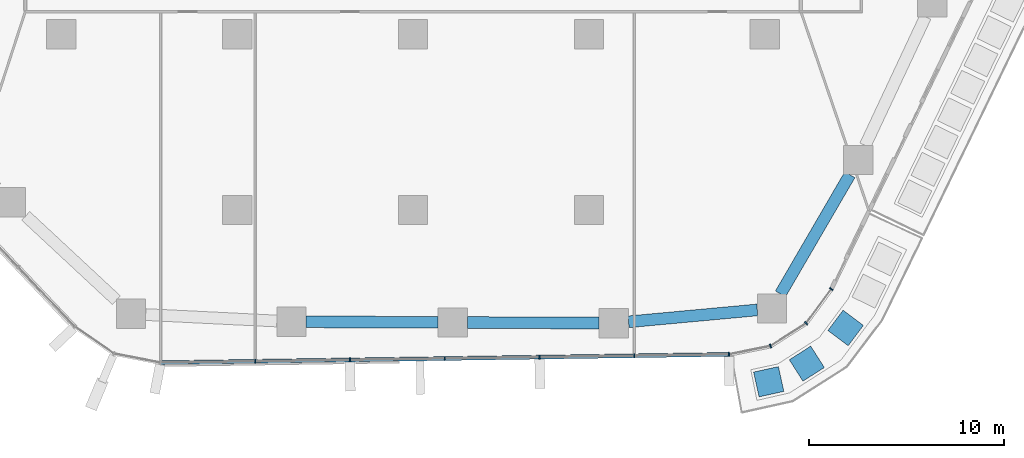
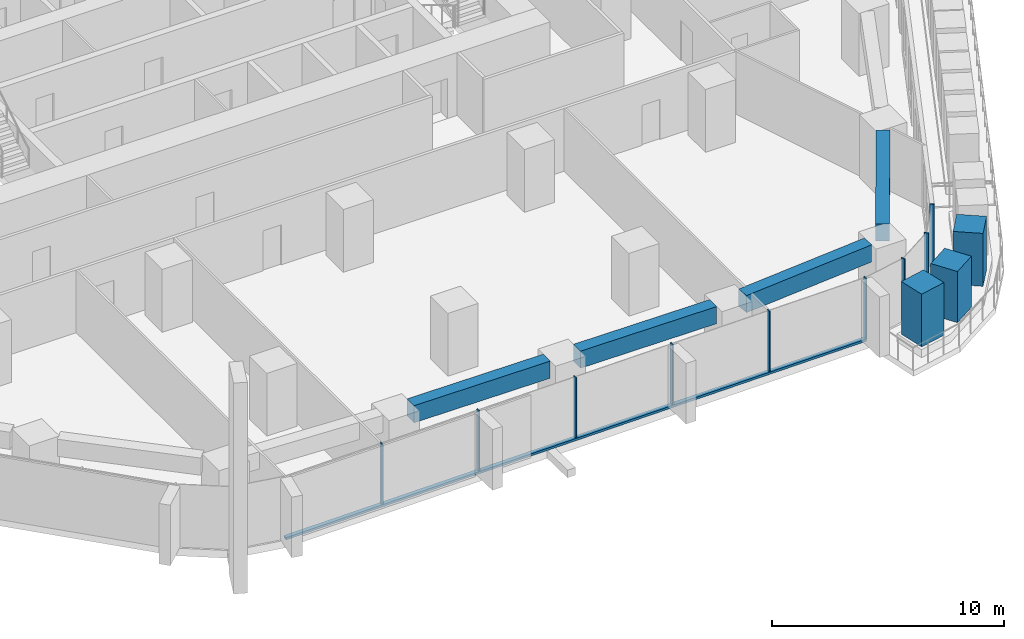
# One storey, part 4 of 24: 13 members, 4 beams, 2 elements without a shape of their own.
"""IFC4 building model written with IfcOpenShell, lengths in metres."""

from ifc_helpers import new_model, si_unit, direction, frame, origin, origin_2d, place, context, subcontext, project, spatial, rectangle, extrude, material, layer, layer_set, material_profile, profile_set, type_object, element, aggregate, save


model = new_model("IFC4")

# Units and contexts
model_context = context("Model", 3, precision=1e-05, world=origin(), true_north=direction((0.0, 1.0)))
body_context = subcontext(model_context, "Body", "Model", "MODEL_VIEW")
ifc_project = project(units=[si_unit("LENGTHUNIT", "METRE"), si_unit("AREAUNIT", "SQUARE_METRE"), si_unit("VOLUMEUNIT", "CUBIC_METRE"), si_unit("PLANEANGLEUNIT", "RADIAN"), si_unit("MASSUNIT", "GRAM", prefix="KILO")], contexts=[model_context])

# Site, building, storey
site_placement = place(None, origin())
site = spatial("IfcSite", under=ifc_project, at=site_placement, CompositionType="ELEMENT")
building_placement = place(site_placement, origin())
building = spatial("IfcBuilding", under=site, at=building_placement, Name="Dongbaek Canopy Tower", CompositionType="ELEMENT")
storey_placement = place(building_placement, frame((0.0, 0.0, 44.0)))
storey = spatial("IfcBuildingStorey", under=building, at=storey_placement, Name="L06", CompositionType="ELEMENT", Elevation=44.0)

# Curtain wall, members
ifc_material_1 = material(Name="Aluminium 6063-T6 pale anodised", Category="aluminium")
ifc_layer = layer(ifc_material_1, 0.199951171875)
ifc_layer_set = layer_set([ifc_layer], Name="CW-1 unitised tower curtain wall")
curtain_wall_type = type_object("IfcCurtainWallType", Name="CW-1 unitised tower curtain wall", PredefinedType="NOTDEFINED", material=ifc_layer_set)
curtain_wall_1_placement = place(storey_placement, origin())
curtain_wall_1 = element("IfcCurtainWall", 1, at=curtain_wall_1_placement, inside=storey, type_object=curtain_wall_type, Name="CW-1 curtain wall F4.1", PredefinedType="NOTDEFINED")
ifc_material_2 = material(Name="Aluminium 6063-T6 pale anodised", Category="aluminium")
ifc_material_profile_1 = material_profile(ifc_material_2, rectangle(XDim=0.199951171875, YDim=0.06005859375, at=origin_2d()), Name="CW-1 mullion 60 x 200")
ifc_profile_set_1 = profile_set([ifc_material_profile_1], Name="Aluminium 6063-T6 pale anodised")
member_type_1 = type_object("IfcMemberType", Name="CW-1 mullion 60 x 200", PredefinedType="MULLION", material=ifc_profile_set_1)
member_1_placement = place(storey_placement, frame((-8.08056640625, -34.741943359375, 0.1201171875), z_axis=(0.0, 0.0, 1.0), x_axis=(0.014618811778, -0.999893139462, 0.0)))
member_1 = element("IfcMember", 2, at=member_1_placement, type_object=member_type_1, Name="CW-1 mullion F4.1.2", PredefinedType="MULLION", context=body_context, shape_type="SweptSolid", body=[
    extrude(rectangle(XDim=0.199951171875, YDim=0.06005859375, at=origin_2d()), origin(), (0.0, 0.0, 1.0), 3.179931640625),
])
member_2_placement = place(storey_placement, frame((-3.229248046875, -34.671142578125, 0.1201171875), z_axis=(0.0, 0.0, 1.0), x_axis=(0.014618811778, -0.999893139462, 0.0)))
member_2 = element("IfcMember", 3, at=member_2_placement, type_object=member_type_1, Name="CW-1 mullion F4.1.3", PredefinedType="MULLION", context=body_context, shape_type="SweptSolid", body=[
    extrude(rectangle(XDim=0.199951171875, YDim=0.06005859375, at=origin_2d()), origin(), (0.0, 0.0, 1.0), 3.179931640625),
])
member_3_placement = place(storey_placement, frame((1.6220703125, -34.60009765625, 0.1201171875), z_axis=(0.0, 0.0, 1.0), x_axis=(0.014618811778, -0.999893139462, 0.0)))
member_3 = element("IfcMember", 4, at=member_3_placement, type_object=member_type_1, Name="CW-1 mullion F4.1.4", PredefinedType="MULLION", context=body_context, shape_type="SweptSolid", body=[
    extrude(rectangle(XDim=0.199951171875, YDim=0.06005859375, at=origin_2d()), origin(), (0.0, 0.0, 1.0), 3.179931640625),
])
member_4_placement = place(storey_placement, frame((6.473388671875, -34.529052734375, 0.1201171875), z_axis=(0.0, 0.0, 1.0), x_axis=(0.014618811778, -0.999893139462, 0.0)))
member_4 = element("IfcMember", 5, at=member_4_placement, type_object=member_type_1, Name="CW-1 mullion F4.1.5", PredefinedType="MULLION", context=body_context, shape_type="SweptSolid", body=[
    extrude(rectangle(XDim=0.199951171875, YDim=0.06005859375, at=origin_2d()), origin(), (0.0, 0.0, 1.0), 3.179931640625),
])
member_5_placement = place(storey_placement, frame((11.32470703125, -34.458251953125, 0.1201171875), z_axis=(0.0, 0.0, 1.0), x_axis=(0.014618811778, -0.999893139462, 0.0)))
member_5 = element("IfcMember", 6, at=member_5_placement, type_object=member_type_1, Name="CW-1 mullion F4.1.6", PredefinedType="MULLION", context=body_context, shape_type="SweptSolid", body=[
    extrude(rectangle(XDim=0.199951171875, YDim=0.06005859375, at=origin_2d()), origin(), (0.0, 0.0, 1.0), 3.179931640625),
])
member_6_placement = place(storey_placement, frame((16.166748046875, -34.387451171875, 0.1201171875), z_axis=(0.0, 0.0, 1.0), x_axis=(0.014618811778, -0.999893139462, 0.0)))
member_6 = element("IfcMember", 7, at=member_6_placement, type_object=member_type_1, Name="CW-1 mullion F4.1.7", PredefinedType="MULLION", context=body_context, shape_type="SweptSolid", body=[
    extrude(rectangle(XDim=0.199951171875, YDim=0.06005859375, at=origin_2d()), origin(), (0.0, 0.0, 1.0), 3.179931640625),
])

curtain_wall_2_placement = place(storey_placement, origin())
curtain_wall_2 = element("IfcCurtainWall", 8, at=curtain_wall_2_placement, inside=storey, type_object=curtain_wall_type, Name="CW-1 curtain wall K5.1", PredefinedType="NOTDEFINED")
member_7_placement = place(storey_placement, frame((18.29541015625, -33.958251953125, 0.0), z_axis=(0.0, 0.0, 1.0), x_axis=(0.37392882128, -0.927457404206, 0.0)))
member_7 = element("IfcMember", 9, at=member_7_placement, type_object=member_type_1, Name="CW-1 mullion K5.1.2", PredefinedType="MULLION", context=body_context, shape_type="SweptSolid", body=[
    extrude(rectangle(XDim=0.199951171875, YDim=0.06005859375, at=origin_2d()), origin(), (0.0, 0.0, 1.0), 3.300048828125),
])
member_8_placement = place(storey_placement, frame((20.118408203125, -32.796142578125, 0.0), z_axis=(0.0, 0.0, 1.0), x_axis=(0.683001262317, -0.730417192892, 0.0)))
member_8 = element("IfcMember", 10, at=member_8_placement, type_object=member_type_1, Name="CW-1 mullion K5.1.3", PredefinedType="MULLION", context=body_context, shape_type="SweptSolid", body=[
    extrude(rectangle(XDim=0.199951171875, YDim=0.06005859375, at=origin_2d()), origin(), (0.0, 0.0, 1.0), 3.300048828125),
])
member_9_placement = place(storey_placement, frame((21.40576171875, -31.047607421875, 0.0), z_axis=(0.0, 0.0, 1.0), x_axis=(0.805296174673, -0.592872727538, 0.0)))
member_9 = element("IfcMember", 11, at=member_9_placement, type_object=member_type_1, Name="CW-1 mullion K5.1.4", PredefinedType="MULLION", context=body_context, shape_type="SweptSolid", body=[
    extrude(rectangle(XDim=0.199951171875, YDim=0.06005859375, at=origin_2d()), origin(), (0.0, 0.0, 1.0), 3.300048828125),
])
aggregate(curtain_wall_2, [member_7, member_8, member_9])

# Member
ifc_material_3 = material(Name="Aluminium 6063-T6 pale anodised", Category="aluminium")
ifc_material_profile_2 = material_profile(ifc_material_3, rectangle(XDim=0.199951171875, YDim=0.1201171875, at=origin_2d()), Name="CW-1 transom 120 x 200")
ifc_profile_set_2 = profile_set([ifc_material_profile_2], Name="Aluminium 6063-T6 pale anodised")
member_type_2 = type_object("IfcMemberType", Name="CW-1 transom 120 x 200", PredefinedType="USERDEFINED", material=ifc_profile_set_2)
member_10_placement = place(storey_placement, frame((-12.92138671875, -34.812744140625, 0.06005859375), z_axis=(0.99989313265, 0.014619277662, 0.0), x_axis=(-0.014619277662, 0.99989313265, 0.0)))
member_10 = element("IfcMember", 12, at=member_10_placement, type_object=member_type_2, Name="CW-1 transom F4.1.1", ObjectType="TRANSOM", PredefinedType="USERDEFINED", context=body_context, shape_type="SweptSolid", body=[
    extrude(rectangle(XDim=0.199951171875, YDim=0.1201171875, at=origin_2d()), origin(), (0.0, 0.0, 1.0), 29.09130859375),
])

aggregate(curtain_wall_1, [member_1, member_2, member_3, member_4, member_5, member_6, member_10])

# Beams
ifc_material_4 = material(Name="Concrete C80", Category="concrete")
ifc_material_profile_3 = material_profile(ifc_material_4, rectangle(XDim=0.60009765625, YDim=0.89990234375, at=origin_2d()), Name="RC EDGE BEAM 600x900 C80")
ifc_profile_set_3 = profile_set([ifc_material_profile_3], Name="Concrete C80")
beam_type = type_object("IfcBeamType", Name="RC EDGE BEAM 600x900 C80", PredefinedType="BEAM", material=ifc_profile_set_3)
beam_1_placement = place(storey_placement, frame((17.617919921875, -32.1123046875, 2.85009765625), z_axis=(-0.995766471257, -0.091919174929, 0.0), x_axis=(0.091919174929, -0.995766471257, 0.0)))
element("IfcBeam", 13, at=beam_1_placement, inside=storey, type_object=beam_type, Name="EDGEBEAM:L06:00", PredefinedType="BEAM", context=body_context, shape_type="SweptSolid", body=[
    extrude(rectangle(XDim=0.60009765625, YDim=0.89990234375, at=origin_2d()), origin(), (0.0, 0.0, 1.0), 6.618896484375),
])
beam_2_placement = place(storey_placement, frame((9.527099609375, -32.78662109375, 2.85009765625), z_axis=(-0.999989942747, 0.004484908597, 0.0), x_axis=(-0.004484908597, -0.999989942747, 0.0)))
element("IfcBeam", 14, at=beam_2_placement, inside=storey, type_object=beam_type, Name="EDGEBEAM:L06:01", PredefinedType="BEAM", context=body_context, shape_type="SweptSolid", body=[
    extrude(rectangle(XDim=0.60009765625, YDim=0.89990234375, at=origin_2d()), origin(), (0.0, 0.0, 1.0), 6.75),
])
beam_3_placement = place(storey_placement, frame((1.277099609375, -32.749755859375, 2.85009765625), z_axis=(-0.999990420723, 0.004377038088, 0.0), x_axis=(-0.004377038088, -0.999990420723, 0.0)))
element("IfcBeam", 15, at=beam_3_placement, inside=storey, type_object=beam_type, Name="EDGEBEAM:L06:02", PredefinedType="BEAM", context=body_context, shape_type="SweptSolid", body=[
    extrude(rectangle(XDim=0.60009765625, YDim=0.89990234375, at=origin_2d()), origin(), (0.0, 0.0, 1.0), 6.7490234375),
])
beam_4_placement = place(storey_placement, frame((22.35546875, -25.193115234375, 2.85009765625), z_axis=(-0.503081510817, -0.864238967806, 0.0), x_axis=(0.864238967806, -0.503081510817, 0.0)))
element("IfcBeam", 16, at=beam_4_placement, inside=storey, type_object=beam_type, Name="EDGEBEAM:L06:25", PredefinedType="BEAM", context=body_context, shape_type="SweptSolid", body=[
    extrude(rectangle(XDim=0.60009765625, YDim=0.89990234375, at=origin_2d()), origin(), (0.0, 0.0, 1.0), 7.05810546875),
])

# Members
ifc_material_5 = material(Name="Concrete C40/50 planter mass with planting", Category="concrete")
ifc_material_profile_4 = material_profile(ifc_material_5, rectangle(XDim=1.300048828125, YDim=1.300048828125, at=origin_2d()), Name="Terrace PLANTER shrub mass 1300 x 1300")
ifc_profile_set_4 = profile_set([ifc_material_profile_4], Name="Concrete C40/50 planter mass with planting")
member_type_3 = type_object("IfcMemberType", Name="Terrace PLANTER shrub mass 1300 x 1300", PredefinedType="USERDEFINED", material=ifc_profile_set_4)
member_11_placement = place(storey_placement, frame((18.2041015625, -35.7880859375, 0.419921875), z_axis=(0.0, 0.0, 1.0), x_axis=(0.215583505402, -0.976485408083, 0.0)))
element("IfcMember", 17, at=member_11_placement, inside=storey, type_object=member_type_3, Name="Planter shrubs L06 7.1", ObjectType="PLANTER", PredefinedType="USERDEFINED", context=body_context, shape_type="SweptSolid", body=[
    extrude(rectangle(XDim=1.300048828125, YDim=1.300048828125, at=origin_2d()), origin(), (0.0, 0.0, 1.0), 2.77001953125),
])
member_12_placement = place(storey_placement, frame((20.15380859375, -34.862548828125, 0.419921875), z_axis=(0.0, 0.0, 1.0), x_axis=(0.53757000626, -0.843219122393, 0.0)))
element("IfcMember", 18, at=member_12_placement, inside=storey, type_object=member_type_3, Name="Planter shrubs L06 7.2", ObjectType="PLANTER", PredefinedType="USERDEFINED", context=body_context, shape_type="SweptSolid", body=[
    extrude(rectangle(XDim=1.300048828125, YDim=1.300048828125, at=origin_2d()), origin(), (0.0, 0.0, 1.0), 2.690185546875),
])
member_13_placement = place(storey_placement, frame((22.140625, -33.038330078125, 0.419921875), z_axis=(0.0, 0.0, 1.0), x_axis=(0.800496779808, -0.599337055018, 0.0)))
element("IfcMember", 19, at=member_13_placement, inside=storey, type_object=member_type_3, Name="Planter shrubs L06 7.3", ObjectType="PLANTER", PredefinedType="USERDEFINED", context=body_context, shape_type="SweptSolid", body=[
    extrude(rectangle(XDim=1.300048828125, YDim=1.300048828125, at=origin_2d()), origin(), (0.0, 0.0, 1.0), 2.780029296875),
])

save(model, "model.ifc")
